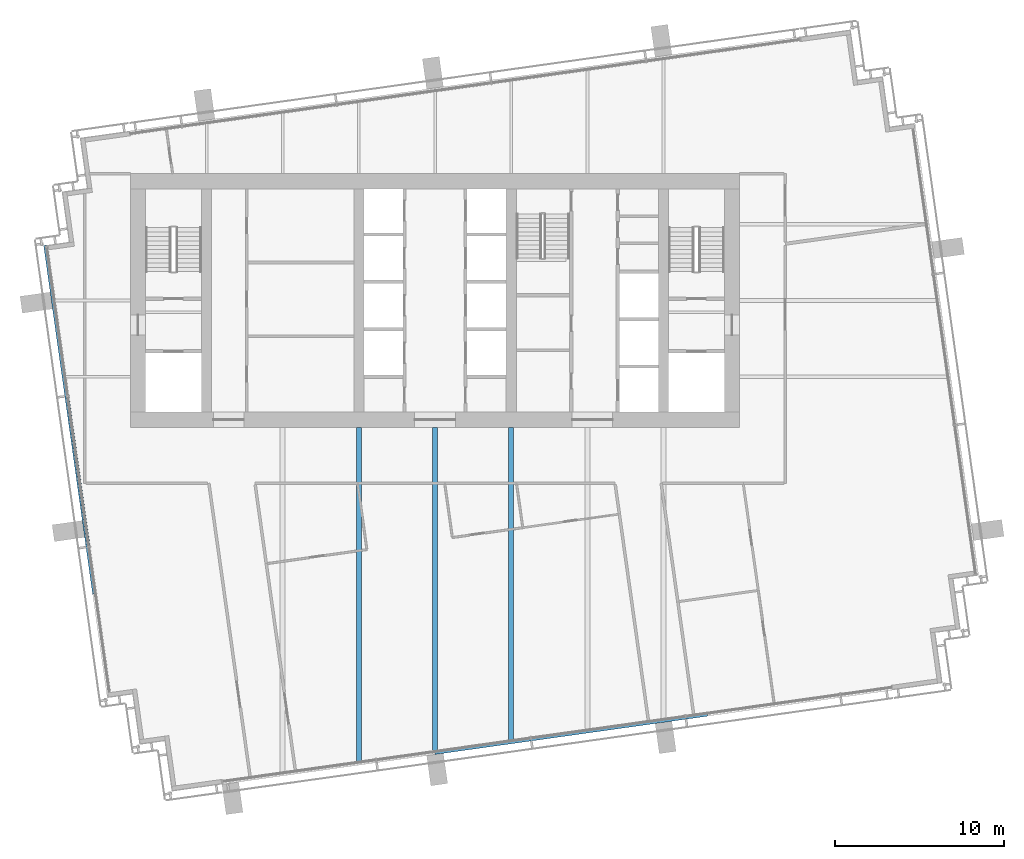
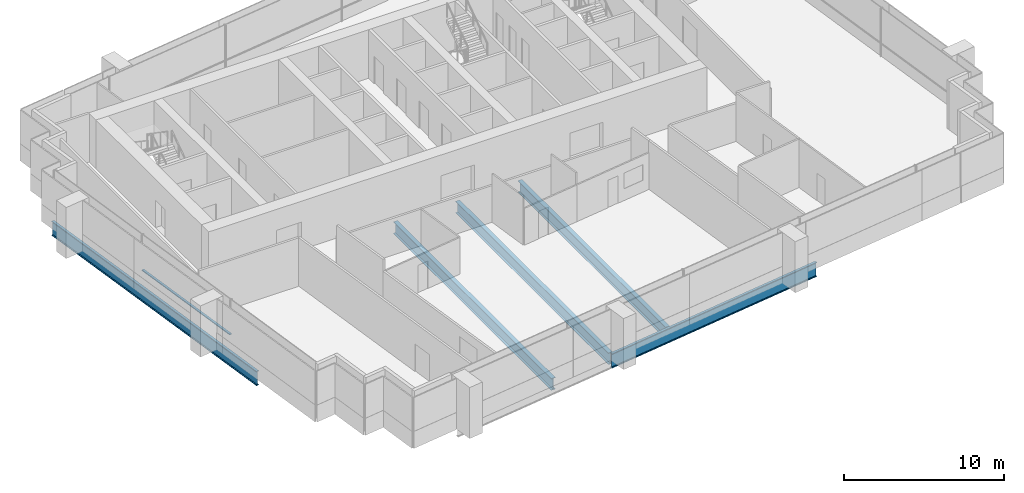
# One storey, part 3 of 17: 5 beams, 1 member, 1 element without a shape of its own.
"""IFC4 building model written with IfcOpenShell, lengths in metres."""

from ifc_helpers import new_model, si_unit, direction, frame, origin, origin_2d, place, context, subcontext, project, spatial, rectangle, i_section, extrude, material, layer, layer_set, material_profile, profile_set, type_object, element, aggregate, save


model = new_model("IFC4")

# Units and contexts
model_context = context("Model", 3, precision=1e-05, world=origin(), true_north=direction((0.0, 1.0)))
body_context = subcontext(model_context, "Body", "Model", "MODEL_VIEW")
ifc_project = project(units=[si_unit("LENGTHUNIT", "METRE"), si_unit("AREAUNIT", "SQUARE_METRE"), si_unit("VOLUMEUNIT", "CUBIC_METRE"), si_unit("PLANEANGLEUNIT", "RADIAN"), si_unit("MASSUNIT", "GRAM", prefix="KILO")], contexts=[model_context])

# Site, building, storey
site_placement = place(None, origin())
site = spatial("IfcSite", under=ifc_project, at=site_placement, CompositionType="ELEMENT")
building_placement = place(site_placement, origin())
building = spatial("IfcBuilding", under=site, at=building_placement, Name="Rattan Terrace Tower", CompositionType="ELEMENT")
storey_placement = place(building_placement, frame((0.0, 0.0, 221.300048828125)))
storey = spatial("IfcBuildingStorey", under=building, at=storey_placement, Name="L50", CompositionType="ELEMENT", Elevation=221.300048828125)

# Beams
ifc_material_1 = material(Name="Steel S460", Category="steel")
ifc_material_profile_1 = material_profile(ifc_material_1, i_section(OverallWidth=0.179931640625, OverallDepth=1.10009765625, WebThickness=0.01611328125, FlangeThickness=0.050048828125, at=origin_2d()), Name="PG 1100x180-16-50")
ifc_profile_set_1 = profile_set([ifc_material_profile_1], Name="Steel S460")
beam_type_1 = type_object("IfcBeamType", Name="Frame edge girder PG 1100x180-16-50", PredefinedType="SPANDREL", material=ifc_profile_set_1)
beam_1_placement = place(storey_placement, frame((16.0859375, -24.472900390625, -0.75), z_axis=(-0.990262693422, -0.139211342989, 0.0), x_axis=(0.139211342989, -0.990262693422, 0.0)))
element("IfcBeam", 1, at=beam_1_placement, inside=storey, type_object=beam_type_1, Name="gdr-L50-002", PredefinedType="SPANDREL", context=body_context, shape_type="SweptSolid", body=[
    extrude(i_section(OverallWidth=0.179931640625, OverallDepth=1.10009765625, WebThickness=0.01611328125, FlangeThickness=0.050048828125, at=origin_2d()), origin(), (0.0, 0.0, 1.0), 16.257080078125),
])
beam_2_placement = place(storey_placement, frame((-20.14111328125, -17.347900390625, -0.75), z_axis=(-0.139141602152, 0.9902724951, 0.0), x_axis=(-0.9902724951, -0.139141602152, 0.0)))
element("IfcBeam", 2, at=beam_2_placement, inside=storey, type_object=beam_type_1, Name="gdr-L50-003", PredefinedType="SPANDREL", context=body_context, shape_type="SweptSolid", body=[
    extrude(i_section(OverallWidth=0.179931640625, OverallDepth=1.10009765625, WebThickness=0.01611328125, FlangeThickness=0.050048828125, at=origin_2d()), origin(), (0.0, 0.0, 1.0), 20.813232421875),
])
ifc_material_2 = material(Name="Steel S355", Category="steel")
ifc_material_profile_2 = material_profile(ifc_material_2, i_section(OverallWidth=0.300048828125, OverallDepth=0.89990234375, WebThickness=0.0185546875, FlangeThickness=0.034912109375, FilletRadius=0.030029296875, at=origin_2d()), Name="HE 900 B")
ifc_profile_set_2 = profile_set([ifc_material_profile_2], Name="Steel S355")
beam_type_2 = type_object("IfcBeamType", Name="Frame floor beam HE 900 B", PredefinedType="JOIST", material=ifc_profile_set_2)
beam_3_placement = place(storey_placement, frame((4.5, -25.989990234375, -0.650146484375), z_axis=(0.0, 1.0, 0.0), x_axis=(-1.0, 0.0, 0.0)))
element("IfcBeam", 3, at=beam_3_placement, inside=storey, type_object=beam_type_2, Name="bm-L50-006", PredefinedType="JOIST", context=body_context, shape_type="SweptSolid", body=[
    extrude(i_section(OverallWidth=0.300048828125, OverallDepth=0.89990234375, WebThickness=0.0185546875, FlangeThickness=0.034912109375, FilletRadius=0.030029296875, at=origin_2d()), origin(), (0.0, 0.0, 1.0), 18.489990234375),
])
ifc_material_3 = material(Name="Steel S460", Category="steel")
ifc_material_profile_3 = material_profile(ifc_material_3, i_section(OverallWidth=0.300048828125, OverallDepth=0.89990234375, WebThickness=0.013916015625, FlangeThickness=0.035888671875, at=origin_2d()), Name="PG 900x300-14-36")
ifc_profile_set_3 = profile_set([ifc_material_profile_3], Name="Steel S460")
beam_type_3 = type_object("IfcBeamType", Name="Frame floor beam PG 900x300-14-36", PredefinedType="JOIST", material=ifc_profile_set_3)
beam_4_placement = place(storey_placement, frame((-4.5, -27.2548828125, -0.650146484375), z_axis=(0.0, 1.0, 0.0), x_axis=(-1.0, 0.0, 0.0)))
element("IfcBeam", 4, at=beam_4_placement, inside=storey, type_object=beam_type_3, Name="bm-L50-004", PredefinedType="JOIST", context=body_context, shape_type="SweptSolid", body=[
    extrude(i_section(OverallWidth=0.300048828125, OverallDepth=0.89990234375, WebThickness=0.013916015625, FlangeThickness=0.035888671875, at=origin_2d()), origin(), (0.0, 0.0, 1.0), 19.7548828125),
])
beam_5_placement = place(storey_placement, frame((0.0, -26.6220703125, -0.650146484375), z_axis=(0.0, 1.0, 0.0), x_axis=(-1.0, 0.0, 0.0)))
element("IfcBeam", 5, at=beam_5_placement, inside=storey, type_object=beam_type_3, Name="bm-L50-005", PredefinedType="JOIST", context=body_context, shape_type="SweptSolid", body=[
    extrude(i_section(OverallWidth=0.300048828125, OverallDepth=0.89990234375, WebThickness=0.013916015625, FlangeThickness=0.035888671875, at=origin_2d()), origin(), (0.0, 0.0, 1.0), 19.1220703125),
])

# Curtain wall, member
ifc_material_4 = material(Name="Aluminium and laminated glass", Category="aluminium")
ifc_layer = layer(ifc_material_4, 0.199951171875)
ifc_layer_set = layer_set([ifc_layer], Name="High-Zone Unitised Curtain Wall")
curtain_wall_type = type_object("IfcCurtainWallType", Name="High-Zone Unitised Curtain Wall", PredefinedType="NOTDEFINED", material=ifc_layer_set)
curtain_wall_placement = place(storey_placement, origin())
curtain_wall = element("IfcCurtainWall", 6, at=curtain_wall_placement, inside=storey, type_object=curtain_wall_type, Name="High-zone curtain wall L50-3", PredefinedType="NOTDEFINED")
ifc_material_5 = material(Name="Aluminium", Category="aluminium")
ifc_material_profile_4 = material_profile(ifc_material_5, rectangle(XDim=0.159912109375, YDim=0.070068359375, at=origin_2d()), Name="Aluminium 160x70")
ifc_profile_set_4 = profile_set([ifc_material_profile_4], Name="Aluminium")
member_type = type_object("IfcMemberType", Name="High-Zone CW Transom 160x70", PredefinedType="USERDEFINED", material=ifc_profile_set_4)
member_placement = place(storey_placement, frame((-21.7001953125, -5.67333984375, 1.0), z_axis=(0.139185713085, -0.990266296141, 0.0), x_axis=(0.990266296141, 0.139185713085, 0.0)))
member = element("IfcMember", 7, at=member_placement, type_object=member_type, Name="Transom cwl-L50-003.2", ObjectType="TRANSOM", PredefinedType="USERDEFINED", context=body_context, shape_type="SweptSolid", body=[
    extrude(rectangle(XDim=0.159912109375, YDim=0.070068359375, at=origin_2d()), origin(), (0.0, 0.0, 1.0), 8.929931640625),
])
aggregate(curtain_wall, [member])

save(model, "model.ifc")
